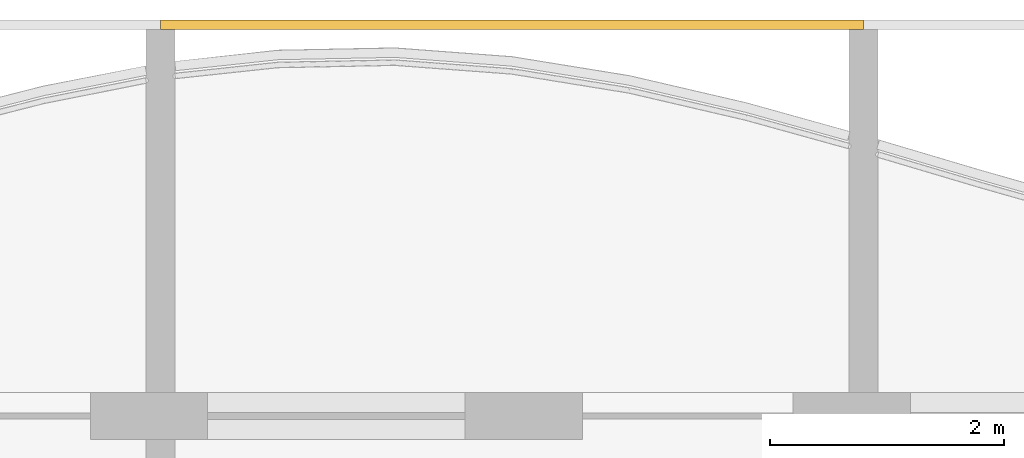
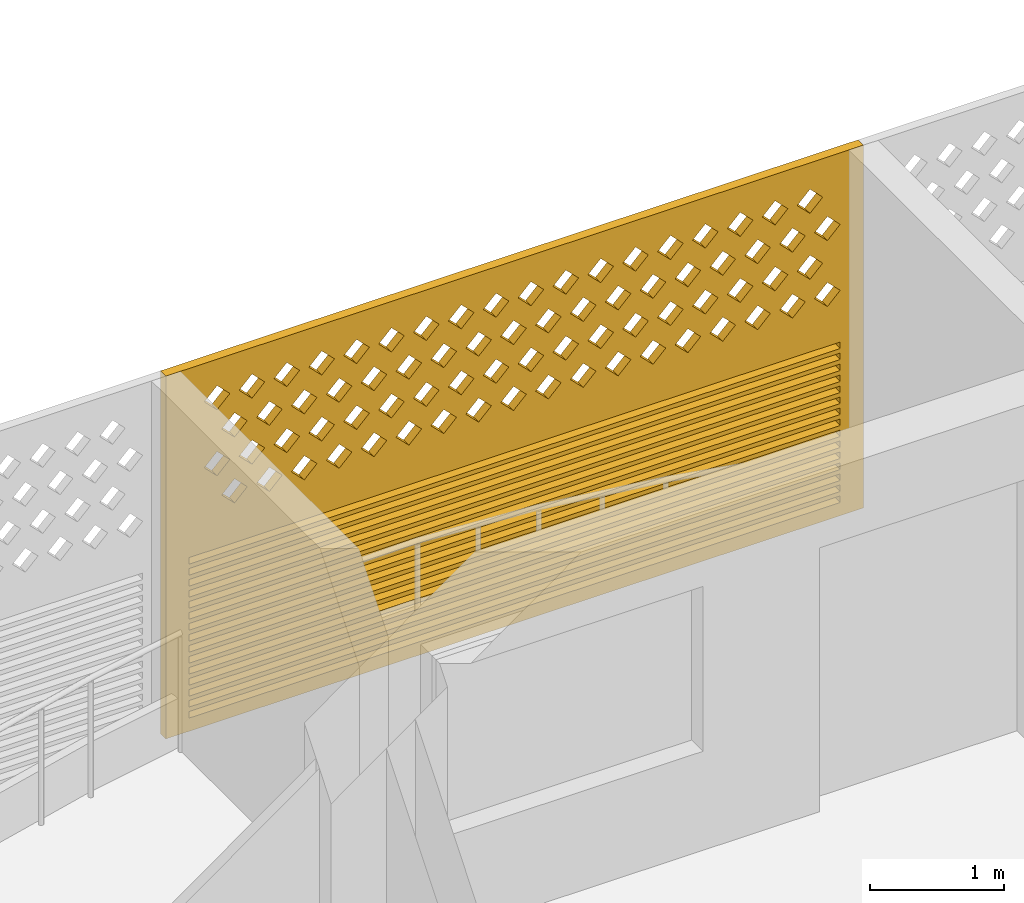
# One storey, part 27 of 29: 1 covering.
"""IFC4 building model written with IfcOpenShell, lengths in metres."""

from ifc_helpers import new_model, si_unit, direction, frame, origin, place, context, subcontext, project, spatial, polyline, outline, extrude, source, transform, mapped, material, material_profile, profile_set, type_object, element, save


model = new_model("IFC4")

# Units and contexts
model_context = context("Model", 3, precision=1e-05, world=origin(), true_north=direction((0.0, 1.0)))
body_context = subcontext(model_context, "Body", "Model", "MODEL_VIEW")
ifc_project = project(units=[si_unit("LENGTHUNIT", "METRE"), si_unit("AREAUNIT", "SQUARE_METRE"), si_unit("VOLUMEUNIT", "CUBIC_METRE"), si_unit("PLANEANGLEUNIT", "RADIAN"), si_unit("MASSUNIT", "GRAM", prefix="KILO")], contexts=[model_context])

# Site, building, storey
site_placement = place(None, origin())
site = spatial("IfcSite", under=ifc_project, at=site_placement, CompositionType="ELEMENT")
building_placement = place(site_placement, origin())
building = spatial("IfcBuilding", under=site, at=building_placement, Name="Poui Terraces", CompositionType="ELEMENT")
storey_placement = place(building_placement, frame((0.0, 0.0, 234.60009765625)))
storey = spatial("IfcBuildingStorey", under=building, at=storey_placement, Name="L65", CompositionType="ELEMENT", Elevation=234.60009765625)

# Covering
ifc_material = material(Name="Terracotta screen", Category="masonry")
ifc_material_profile = material_profile(ifc_material, outline(polyline([(-3.0, -1.64990234375), (3.0, -1.64990234375), (3.0, 1.64990234375), (-3.0, 1.64990234375), (-3.0, -1.64990234375)]), holes=[polyline([(-2.800048828125, 0.39990234375), (-2.68994140625, 0.2900390625), (-2.580078125, 0.39990234375), (-2.68994140625, 0.510009765625), (-2.800048828125, 0.39990234375)]), polyline([(-2.5, 0.39990234375), (-2.389892578125, 0.2900390625), (-2.280029296875, 0.39990234375), (-2.389892578125, 0.510009765625), (-2.5, 0.39990234375)]), polyline([(-2.199951171875, 0.39990234375), (-2.090087890625, 0.2900390625), (-1.97998046875, 0.39990234375), (-2.090087890625, 0.510009765625), (-2.199951171875, 0.39990234375)]), polyline([(-1.89990234375, 0.39990234375), (-1.7900390625, 0.2900390625), (-1.679931640625, 0.39990234375), (-1.7900390625, 0.510009765625), (-1.89990234375, 0.39990234375)]), polyline([(-1.60009765625, 0.39990234375), (-1.489990234375, 0.2900390625), (-1.3798828125, 0.39990234375), (-1.489990234375, 0.510009765625), (-1.60009765625, 0.39990234375)]), polyline([(-1.300048828125, 0.39990234375), (-1.18994140625, 0.2900390625), (-1.080078125, 0.39990234375), (-1.18994140625, 0.510009765625), (-1.300048828125, 0.39990234375)]), polyline([(-1.0, 0.39990234375), (-0.889892578125, 0.2900390625), (-0.780029296875, 0.39990234375), (-0.889892578125, 0.510009765625), (-1.0, 0.39990234375)]), polyline([(-0.699951171875, 0.39990234375), (-0.590087890625, 0.2900390625), (-0.47998046875, 0.39990234375), (-0.590087890625, 0.510009765625), (-0.699951171875, 0.39990234375)]), polyline([(-0.39990234375, 0.39990234375), (-0.2900390625, 0.2900390625), (-0.179931640625, 0.39990234375), (-0.2900390625, 0.510009765625), (-0.39990234375, 0.39990234375)]), polyline([(-0.10009765625, 0.39990234375), (0.010009765625, 0.2900390625), (0.1201171875, 0.39990234375), (0.010009765625, 0.510009765625), (-0.10009765625, 0.39990234375)]), polyline([(0.199951171875, 0.39990234375), (0.31005859375, 0.2900390625), (0.419921875, 0.39990234375), (0.31005859375, 0.510009765625), (0.199951171875, 0.39990234375)]), polyline([(0.5, 0.39990234375), (0.610107421875, 0.2900390625), (0.719970703125, 0.39990234375), (0.610107421875, 0.510009765625), (0.5, 0.39990234375)]), polyline([(0.800048828125, 0.39990234375), (0.909912109375, 0.2900390625), (1.02001953125, 0.39990234375), (0.909912109375, 0.510009765625), (0.800048828125, 0.39990234375)]), polyline([(1.10009765625, 0.39990234375), (1.2099609375, 0.2900390625), (1.320068359375, 0.39990234375), (1.2099609375, 0.510009765625), (1.10009765625, 0.39990234375)]), polyline([(1.39990234375, 0.39990234375), (1.510009765625, 0.2900390625), (1.6201171875, 0.39990234375), (1.510009765625, 0.510009765625), (1.39990234375, 0.39990234375)]), polyline([(1.699951171875, 0.39990234375), (1.81005859375, 0.2900390625), (1.919921875, 0.39990234375), (1.81005859375, 0.510009765625), (1.699951171875, 0.39990234375)]), polyline([(2.0, 0.39990234375), (2.110107421875, 0.2900390625), (2.219970703125, 0.39990234375), (2.110107421875, 0.510009765625), (2.0, 0.39990234375)]), polyline([(2.300048828125, 0.39990234375), (2.409912109375, 0.2900390625), (2.52001953125, 0.39990234375), (2.409912109375, 0.510009765625), (2.300048828125, 0.39990234375)]), polyline([(-2.64990234375, 0.699951171875), (-2.5400390625, 0.590087890625), (-2.429931640625, 0.699951171875), (-2.5400390625, 0.81005859375), (-2.64990234375, 0.699951171875)]), polyline([(-2.35009765625, 0.699951171875), (-2.239990234375, 0.590087890625), (-2.1298828125, 0.699951171875), (-2.239990234375, 0.81005859375), (-2.35009765625, 0.699951171875)]), polyline([(-2.050048828125, 0.699951171875), (-1.93994140625, 0.590087890625), (-1.830078125, 0.699951171875), (-1.93994140625, 0.81005859375), (-2.050048828125, 0.699951171875)]), polyline([(-1.75, 0.699951171875), (-1.639892578125, 0.590087890625), (-1.530029296875, 0.699951171875), (-1.639892578125, 0.81005859375), (-1.75, 0.699951171875)]), polyline([(-1.449951171875, 0.699951171875), (-1.340087890625, 0.590087890625), (-1.22998046875, 0.699951171875), (-1.340087890625, 0.81005859375), (-1.449951171875, 0.699951171875)]), polyline([(-1.14990234375, 0.699951171875), (-1.0400390625, 0.590087890625), (-0.929931640625, 0.699951171875), (-1.0400390625, 0.81005859375), (-1.14990234375, 0.699951171875)]), polyline([(-0.85009765625, 0.699951171875), (-0.739990234375, 0.590087890625), (-0.6298828125, 0.699951171875), (-0.739990234375, 0.81005859375), (-0.85009765625, 0.699951171875)]), polyline([(-0.550048828125, 0.699951171875), (-0.43994140625, 0.590087890625), (-0.330078125, 0.699951171875), (-0.43994140625, 0.81005859375), (-0.550048828125, 0.699951171875)]), polyline([(-0.25, 0.699951171875), (-0.139892578125, 0.590087890625), (-0.030029296875, 0.699951171875), (-0.139892578125, 0.81005859375), (-0.25, 0.699951171875)]), polyline([(0.050048828125, 0.699951171875), (0.159912109375, 0.590087890625), (0.27001953125, 0.699951171875), (0.159912109375, 0.81005859375), (0.050048828125, 0.699951171875)]), polyline([(0.35009765625, 0.699951171875), (0.4599609375, 0.590087890625), (0.570068359375, 0.699951171875), (0.4599609375, 0.81005859375), (0.35009765625, 0.699951171875)]), polyline([(0.64990234375, 0.699951171875), (0.760009765625, 0.590087890625), (0.8701171875, 0.699951171875), (0.760009765625, 0.81005859375), (0.64990234375, 0.699951171875)]), polyline([(0.949951171875, 0.699951171875), (1.06005859375, 0.590087890625), (1.169921875, 0.699951171875), (1.06005859375, 0.81005859375), (0.949951171875, 0.699951171875)]), polyline([(1.25, 0.699951171875), (1.360107421875, 0.590087890625), (1.469970703125, 0.699951171875), (1.360107421875, 0.81005859375), (1.25, 0.699951171875)]), polyline([(1.550048828125, 0.699951171875), (1.659912109375, 0.590087890625), (1.77001953125, 0.699951171875), (1.659912109375, 0.81005859375), (1.550048828125, 0.699951171875)]), polyline([(1.85009765625, 0.699951171875), (1.9599609375, 0.590087890625), (2.070068359375, 0.699951171875), (1.9599609375, 0.81005859375), (1.85009765625, 0.699951171875)]), polyline([(2.14990234375, 0.699951171875), (2.260009765625, 0.590087890625), (2.3701171875, 0.699951171875), (2.260009765625, 0.81005859375), (2.14990234375, 0.699951171875)]), polyline([(2.449951171875, 0.699951171875), (2.56005859375, 0.590087890625), (2.669921875, 0.699951171875), (2.56005859375, 0.81005859375), (2.449951171875, 0.699951171875)]), polyline([(-2.800048828125, 1.0), (-2.68994140625, 0.889892578125), (-2.580078125, 1.0), (-2.68994140625, 1.110107421875), (-2.800048828125, 1.0)]), polyline([(-2.5, 1.0), (-2.389892578125, 0.889892578125), (-2.280029296875, 1.0), (-2.389892578125, 1.110107421875), (-2.5, 1.0)]), polyline([(-2.199951171875, 1.0), (-2.090087890625, 0.889892578125), (-1.97998046875, 1.0), (-2.090087890625, 1.110107421875), (-2.199951171875, 1.0)]), polyline([(-1.89990234375, 1.0), (-1.7900390625, 0.889892578125), (-1.679931640625, 1.0), (-1.7900390625, 1.110107421875), (-1.89990234375, 1.0)]), polyline([(-1.60009765625, 1.0), (-1.489990234375, 0.889892578125), (-1.3798828125, 1.0), (-1.489990234375, 1.110107421875), (-1.60009765625, 1.0)]), polyline([(-1.300048828125, 1.0), (-1.18994140625, 0.889892578125), (-1.080078125, 1.0), (-1.18994140625, 1.110107421875), (-1.300048828125, 1.0)]), polyline([(-1.0, 1.0), (-0.889892578125, 0.889892578125), (-0.780029296875, 1.0), (-0.889892578125, 1.110107421875), (-1.0, 1.0)]), polyline([(-0.699951171875, 1.0), (-0.590087890625, 0.889892578125), (-0.47998046875, 1.0), (-0.590087890625, 1.110107421875), (-0.699951171875, 1.0)]), polyline([(-0.39990234375, 1.0), (-0.2900390625, 0.889892578125), (-0.179931640625, 1.0), (-0.2900390625, 1.110107421875), (-0.39990234375, 1.0)]), polyline([(-0.10009765625, 1.0), (0.010009765625, 0.889892578125), (0.1201171875, 1.0), (0.010009765625, 1.110107421875), (-0.10009765625, 1.0)]), polyline([(0.199951171875, 1.0), (0.31005859375, 0.889892578125), (0.419921875, 1.0), (0.31005859375, 1.110107421875), (0.199951171875, 1.0)]), polyline([(0.5, 1.0), (0.610107421875, 0.889892578125), (0.719970703125, 1.0), (0.610107421875, 1.110107421875), (0.5, 1.0)]), polyline([(0.800048828125, 1.0), (0.909912109375, 0.889892578125), (1.02001953125, 1.0), (0.909912109375, 1.110107421875), (0.800048828125, 1.0)]), polyline([(1.10009765625, 1.0), (1.2099609375, 0.889892578125), (1.320068359375, 1.0), (1.2099609375, 1.110107421875), (1.10009765625, 1.0)]), polyline([(1.39990234375, 1.0), (1.510009765625, 0.889892578125), (1.6201171875, 1.0), (1.510009765625, 1.110107421875), (1.39990234375, 1.0)]), polyline([(1.699951171875, 1.0), (1.81005859375, 0.889892578125), (1.919921875, 1.0), (1.81005859375, 1.110107421875), (1.699951171875, 1.0)]), polyline([(2.0, 1.0), (2.110107421875, 0.889892578125), (2.219970703125, 1.0), (2.110107421875, 1.110107421875), (2.0, 1.0)]), polyline([(2.300048828125, 1.0), (2.409912109375, 0.889892578125), (2.52001953125, 1.0), (2.409912109375, 1.110107421875), (2.300048828125, 1.0)]), polyline([(-2.64990234375, 1.300048828125), (-2.5400390625, 1.18994140625), (-2.429931640625, 1.300048828125), (-2.5400390625, 1.409912109375), (-2.64990234375, 1.300048828125)]), polyline([(-2.35009765625, 1.300048828125), (-2.239990234375, 1.18994140625), (-2.1298828125, 1.300048828125), (-2.239990234375, 1.409912109375), (-2.35009765625, 1.300048828125)]), polyline([(-2.050048828125, 1.300048828125), (-1.93994140625, 1.18994140625), (-1.830078125, 1.300048828125), (-1.93994140625, 1.409912109375), (-2.050048828125, 1.300048828125)]), polyline([(-1.75, 1.300048828125), (-1.639892578125, 1.18994140625), (-1.530029296875, 1.300048828125), (-1.639892578125, 1.409912109375), (-1.75, 1.300048828125)]), polyline([(-1.449951171875, 1.300048828125), (-1.340087890625, 1.18994140625), (-1.22998046875, 1.300048828125), (-1.340087890625, 1.409912109375), (-1.449951171875, 1.300048828125)]), polyline([(-1.14990234375, 1.300048828125), (-1.0400390625, 1.18994140625), (-0.929931640625, 1.300048828125), (-1.0400390625, 1.409912109375), (-1.14990234375, 1.300048828125)]), polyline([(-0.85009765625, 1.300048828125), (-0.739990234375, 1.18994140625), (-0.6298828125, 1.300048828125), (-0.739990234375, 1.409912109375), (-0.85009765625, 1.300048828125)]), polyline([(-0.550048828125, 1.300048828125), (-0.43994140625, 1.18994140625), (-0.330078125, 1.300048828125), (-0.43994140625, 1.409912109375), (-0.550048828125, 1.300048828125)]), polyline([(-0.25, 1.300048828125), (-0.139892578125, 1.18994140625), (-0.030029296875, 1.300048828125), (-0.139892578125, 1.409912109375), (-0.25, 1.300048828125)]), polyline([(0.050048828125, 1.300048828125), (0.159912109375, 1.18994140625), (0.27001953125, 1.300048828125), (0.159912109375, 1.409912109375), (0.050048828125, 1.300048828125)]), polyline([(0.35009765625, 1.300048828125), (0.4599609375, 1.18994140625), (0.570068359375, 1.300048828125), (0.4599609375, 1.409912109375), (0.35009765625, 1.300048828125)]), polyline([(0.64990234375, 1.300048828125), (0.760009765625, 1.18994140625), (0.8701171875, 1.300048828125), (0.760009765625, 1.409912109375), (0.64990234375, 1.300048828125)]), polyline([(0.949951171875, 1.300048828125), (1.06005859375, 1.18994140625), (1.169921875, 1.300048828125), (1.06005859375, 1.409912109375), (0.949951171875, 1.300048828125)]), polyline([(1.25, 1.300048828125), (1.360107421875, 1.18994140625), (1.469970703125, 1.300048828125), (1.360107421875, 1.409912109375), (1.25, 1.300048828125)]), polyline([(1.550048828125, 1.300048828125), (1.659912109375, 1.18994140625), (1.77001953125, 1.300048828125), (1.659912109375, 1.409912109375), (1.550048828125, 1.300048828125)]), polyline([(1.85009765625, 1.300048828125), (1.9599609375, 1.18994140625), (2.070068359375, 1.300048828125), (1.9599609375, 1.409912109375), (1.85009765625, 1.300048828125)]), polyline([(2.14990234375, 1.300048828125), (2.260009765625, 1.18994140625), (2.3701171875, 1.300048828125), (2.260009765625, 1.409912109375), (2.14990234375, 1.300048828125)]), polyline([(2.449951171875, 1.300048828125), (2.56005859375, 1.18994140625), (2.669921875, 1.300048828125), (2.56005859375, 1.409912109375), (2.449951171875, 1.300048828125)]), polyline([(-2.800048828125, -1.530029296875), (2.800048828125, -1.530029296875), (2.800048828125, -1.469970703125), (-2.800048828125, -1.469970703125), (-2.800048828125, -1.530029296875)]), polyline([(-2.800048828125, -1.429931640625), (2.800048828125, -1.429931640625), (2.800048828125, -1.3701171875), (-2.800048828125, -1.3701171875), (-2.800048828125, -1.429931640625)]), polyline([(-2.800048828125, -1.330078125), (2.800048828125, -1.330078125), (2.800048828125, -1.27001953125), (-2.800048828125, -1.27001953125), (-2.800048828125, -1.330078125)]), polyline([(-2.800048828125, -1.22998046875), (2.800048828125, -1.22998046875), (2.800048828125, -1.169921875), (-2.800048828125, -1.169921875), (-2.800048828125, -1.22998046875)]), polyline([(-2.800048828125, -1.1298828125), (2.800048828125, -1.1298828125), (2.800048828125, -1.070068359375), (-2.800048828125, -1.070068359375), (-2.800048828125, -1.1298828125)]), polyline([(-2.800048828125, -1.030029296875), (2.800048828125, -1.030029296875), (2.800048828125, -0.969970703125), (-2.800048828125, -0.969970703125), (-2.800048828125, -1.030029296875)]), polyline([(-2.800048828125, -0.929931640625), (2.800048828125, -0.929931640625), (2.800048828125, -0.8701171875), (-2.800048828125, -0.8701171875), (-2.800048828125, -0.929931640625)]), polyline([(-2.800048828125, -0.830078125), (2.800048828125, -0.830078125), (2.800048828125, -0.77001953125), (-2.800048828125, -0.77001953125), (-2.800048828125, -0.830078125)]), polyline([(-2.800048828125, -0.72998046875), (2.800048828125, -0.72998046875), (2.800048828125, -0.669921875), (-2.800048828125, -0.669921875), (-2.800048828125, -0.72998046875)]), polyline([(-2.800048828125, -0.6298828125), (2.800048828125, -0.6298828125), (2.800048828125, -0.570068359375), (-2.800048828125, -0.570068359375), (-2.800048828125, -0.6298828125)]), polyline([(-2.800048828125, -0.530029296875), (2.800048828125, -0.530029296875), (2.800048828125, -0.469970703125), (-2.800048828125, -0.469970703125), (-2.800048828125, -0.530029296875)]), polyline([(-2.800048828125, -0.429931640625), (2.800048828125, -0.429931640625), (2.800048828125, -0.3701171875), (-2.800048828125, -0.3701171875), (-2.800048828125, -0.429931640625)]), polyline([(-2.800048828125, -0.330078125), (2.800048828125, -0.330078125), (2.800048828125, -0.27001953125), (-2.800048828125, -0.27001953125), (-2.800048828125, -0.330078125)]), polyline([(-2.800048828125, -0.22998046875), (2.800048828125, -0.22998046875), (2.800048828125, -0.169921875), (-2.800048828125, -0.169921875), (-2.800048828125, -0.22998046875)]), polyline([(-2.800048828125, -0.1298828125), (2.800048828125, -0.1298828125), (2.800048828125, -0.070068359375), (-2.800048828125, -0.070068359375), (-2.800048828125, -0.1298828125)])]), Name="TERRACOTTA SCREEN AND JALOUSIE LOUVRE 6000X3300")
ifc_profile_set = profile_set([ifc_material_profile], Name="Terracotta screen")
covering_type = type_object("IfcCoveringType", Name="TERRACOTTA SCREEN AND JALOUSIE LOUVRE 6000X3300", PredefinedType="CLADDING", material=ifc_profile_set)
shared_shape = source(origin(), body_context, "Body", "SweptSolid", [
    extrude(outline(polyline([(-3.0, -1.64990234375), (3.0, -1.64990234375), (3.0, 1.64990234375), (-3.0, 1.64990234375), (-3.0, -1.64990234375)]), holes=[polyline([(-2.800048828125, 0.39990234375), (-2.68994140625, 0.2900390625), (-2.580078125, 0.39990234375), (-2.68994140625, 0.510009765625), (-2.800048828125, 0.39990234375)]), polyline([(-2.5, 0.39990234375), (-2.389892578125, 0.2900390625), (-2.280029296875, 0.39990234375), (-2.389892578125, 0.510009765625), (-2.5, 0.39990234375)]), polyline([(-2.199951171875, 0.39990234375), (-2.090087890625, 0.2900390625), (-1.97998046875, 0.39990234375), (-2.090087890625, 0.510009765625), (-2.199951171875, 0.39990234375)]), polyline([(-1.89990234375, 0.39990234375), (-1.7900390625, 0.2900390625), (-1.679931640625, 0.39990234375), (-1.7900390625, 0.510009765625), (-1.89990234375, 0.39990234375)]), polyline([(-1.60009765625, 0.39990234375), (-1.489990234375, 0.2900390625), (-1.3798828125, 0.39990234375), (-1.489990234375, 0.510009765625), (-1.60009765625, 0.39990234375)]), polyline([(-1.300048828125, 0.39990234375), (-1.18994140625, 0.2900390625), (-1.080078125, 0.39990234375), (-1.18994140625, 0.510009765625), (-1.300048828125, 0.39990234375)]), polyline([(-1.0, 0.39990234375), (-0.889892578125, 0.2900390625), (-0.780029296875, 0.39990234375), (-0.889892578125, 0.510009765625), (-1.0, 0.39990234375)]), polyline([(-0.699951171875, 0.39990234375), (-0.590087890625, 0.2900390625), (-0.47998046875, 0.39990234375), (-0.590087890625, 0.510009765625), (-0.699951171875, 0.39990234375)]), polyline([(-0.39990234375, 0.39990234375), (-0.2900390625, 0.2900390625), (-0.179931640625, 0.39990234375), (-0.2900390625, 0.510009765625), (-0.39990234375, 0.39990234375)]), polyline([(-0.10009765625, 0.39990234375), (0.010009765625, 0.2900390625), (0.1201171875, 0.39990234375), (0.010009765625, 0.510009765625), (-0.10009765625, 0.39990234375)]), polyline([(0.199951171875, 0.39990234375), (0.31005859375, 0.2900390625), (0.419921875, 0.39990234375), (0.31005859375, 0.510009765625), (0.199951171875, 0.39990234375)]), polyline([(0.5, 0.39990234375), (0.610107421875, 0.2900390625), (0.719970703125, 0.39990234375), (0.610107421875, 0.510009765625), (0.5, 0.39990234375)]), polyline([(0.800048828125, 0.39990234375), (0.909912109375, 0.2900390625), (1.02001953125, 0.39990234375), (0.909912109375, 0.510009765625), (0.800048828125, 0.39990234375)]), polyline([(1.10009765625, 0.39990234375), (1.2099609375, 0.2900390625), (1.320068359375, 0.39990234375), (1.2099609375, 0.510009765625), (1.10009765625, 0.39990234375)]), polyline([(1.39990234375, 0.39990234375), (1.510009765625, 0.2900390625), (1.6201171875, 0.39990234375), (1.510009765625, 0.510009765625), (1.39990234375, 0.39990234375)]), polyline([(1.699951171875, 0.39990234375), (1.81005859375, 0.2900390625), (1.919921875, 0.39990234375), (1.81005859375, 0.510009765625), (1.699951171875, 0.39990234375)]), polyline([(2.0, 0.39990234375), (2.110107421875, 0.2900390625), (2.219970703125, 0.39990234375), (2.110107421875, 0.510009765625), (2.0, 0.39990234375)]), polyline([(2.300048828125, 0.39990234375), (2.409912109375, 0.2900390625), (2.52001953125, 0.39990234375), (2.409912109375, 0.510009765625), (2.300048828125, 0.39990234375)]), polyline([(-2.64990234375, 0.699951171875), (-2.5400390625, 0.590087890625), (-2.429931640625, 0.699951171875), (-2.5400390625, 0.81005859375), (-2.64990234375, 0.699951171875)]), polyline([(-2.35009765625, 0.699951171875), (-2.239990234375, 0.590087890625), (-2.1298828125, 0.699951171875), (-2.239990234375, 0.81005859375), (-2.35009765625, 0.699951171875)]), polyline([(-2.050048828125, 0.699951171875), (-1.93994140625, 0.590087890625), (-1.830078125, 0.699951171875), (-1.93994140625, 0.81005859375), (-2.050048828125, 0.699951171875)]), polyline([(-1.75, 0.699951171875), (-1.639892578125, 0.590087890625), (-1.530029296875, 0.699951171875), (-1.639892578125, 0.81005859375), (-1.75, 0.699951171875)]), polyline([(-1.449951171875, 0.699951171875), (-1.340087890625, 0.590087890625), (-1.22998046875, 0.699951171875), (-1.340087890625, 0.81005859375), (-1.449951171875, 0.699951171875)]), polyline([(-1.14990234375, 0.699951171875), (-1.0400390625, 0.590087890625), (-0.929931640625, 0.699951171875), (-1.0400390625, 0.81005859375), (-1.14990234375, 0.699951171875)]), polyline([(-0.85009765625, 0.699951171875), (-0.739990234375, 0.590087890625), (-0.6298828125, 0.699951171875), (-0.739990234375, 0.81005859375), (-0.85009765625, 0.699951171875)]), polyline([(-0.550048828125, 0.699951171875), (-0.43994140625, 0.590087890625), (-0.330078125, 0.699951171875), (-0.43994140625, 0.81005859375), (-0.550048828125, 0.699951171875)]), polyline([(-0.25, 0.699951171875), (-0.139892578125, 0.590087890625), (-0.030029296875, 0.699951171875), (-0.139892578125, 0.81005859375), (-0.25, 0.699951171875)]), polyline([(0.050048828125, 0.699951171875), (0.159912109375, 0.590087890625), (0.27001953125, 0.699951171875), (0.159912109375, 0.81005859375), (0.050048828125, 0.699951171875)]), polyline([(0.35009765625, 0.699951171875), (0.4599609375, 0.590087890625), (0.570068359375, 0.699951171875), (0.4599609375, 0.81005859375), (0.35009765625, 0.699951171875)]), polyline([(0.64990234375, 0.699951171875), (0.760009765625, 0.590087890625), (0.8701171875, 0.699951171875), (0.760009765625, 0.81005859375), (0.64990234375, 0.699951171875)]), polyline([(0.949951171875, 0.699951171875), (1.06005859375, 0.590087890625), (1.169921875, 0.699951171875), (1.06005859375, 0.81005859375), (0.949951171875, 0.699951171875)]), polyline([(1.25, 0.699951171875), (1.360107421875, 0.590087890625), (1.469970703125, 0.699951171875), (1.360107421875, 0.81005859375), (1.25, 0.699951171875)]), polyline([(1.550048828125, 0.699951171875), (1.659912109375, 0.590087890625), (1.77001953125, 0.699951171875), (1.659912109375, 0.81005859375), (1.550048828125, 0.699951171875)]), polyline([(1.85009765625, 0.699951171875), (1.9599609375, 0.590087890625), (2.070068359375, 0.699951171875), (1.9599609375, 0.81005859375), (1.85009765625, 0.699951171875)]), polyline([(2.14990234375, 0.699951171875), (2.260009765625, 0.590087890625), (2.3701171875, 0.699951171875), (2.260009765625, 0.81005859375), (2.14990234375, 0.699951171875)]), polyline([(2.449951171875, 0.699951171875), (2.56005859375, 0.590087890625), (2.669921875, 0.699951171875), (2.56005859375, 0.81005859375), (2.449951171875, 0.699951171875)]), polyline([(-2.800048828125, 1.0), (-2.68994140625, 0.889892578125), (-2.580078125, 1.0), (-2.68994140625, 1.110107421875), (-2.800048828125, 1.0)]), polyline([(-2.5, 1.0), (-2.389892578125, 0.889892578125), (-2.280029296875, 1.0), (-2.389892578125, 1.110107421875), (-2.5, 1.0)]), polyline([(-2.199951171875, 1.0), (-2.090087890625, 0.889892578125), (-1.97998046875, 1.0), (-2.090087890625, 1.110107421875), (-2.199951171875, 1.0)]), polyline([(-1.89990234375, 1.0), (-1.7900390625, 0.889892578125), (-1.679931640625, 1.0), (-1.7900390625, 1.110107421875), (-1.89990234375, 1.0)]), polyline([(-1.60009765625, 1.0), (-1.489990234375, 0.889892578125), (-1.3798828125, 1.0), (-1.489990234375, 1.110107421875), (-1.60009765625, 1.0)]), polyline([(-1.300048828125, 1.0), (-1.18994140625, 0.889892578125), (-1.080078125, 1.0), (-1.18994140625, 1.110107421875), (-1.300048828125, 1.0)]), polyline([(-1.0, 1.0), (-0.889892578125, 0.889892578125), (-0.780029296875, 1.0), (-0.889892578125, 1.110107421875), (-1.0, 1.0)]), polyline([(-0.699951171875, 1.0), (-0.590087890625, 0.889892578125), (-0.47998046875, 1.0), (-0.590087890625, 1.110107421875), (-0.699951171875, 1.0)]), polyline([(-0.39990234375, 1.0), (-0.2900390625, 0.889892578125), (-0.179931640625, 1.0), (-0.2900390625, 1.110107421875), (-0.39990234375, 1.0)]), polyline([(-0.10009765625, 1.0), (0.010009765625, 0.889892578125), (0.1201171875, 1.0), (0.010009765625, 1.110107421875), (-0.10009765625, 1.0)]), polyline([(0.199951171875, 1.0), (0.31005859375, 0.889892578125), (0.419921875, 1.0), (0.31005859375, 1.110107421875), (0.199951171875, 1.0)]), polyline([(0.5, 1.0), (0.610107421875, 0.889892578125), (0.719970703125, 1.0), (0.610107421875, 1.110107421875), (0.5, 1.0)]), polyline([(0.800048828125, 1.0), (0.909912109375, 0.889892578125), (1.02001953125, 1.0), (0.909912109375, 1.110107421875), (0.800048828125, 1.0)]), polyline([(1.10009765625, 1.0), (1.2099609375, 0.889892578125), (1.320068359375, 1.0), (1.2099609375, 1.110107421875), (1.10009765625, 1.0)]), polyline([(1.39990234375, 1.0), (1.510009765625, 0.889892578125), (1.6201171875, 1.0), (1.510009765625, 1.110107421875), (1.39990234375, 1.0)]), polyline([(1.699951171875, 1.0), (1.81005859375, 0.889892578125), (1.919921875, 1.0), (1.81005859375, 1.110107421875), (1.699951171875, 1.0)]), polyline([(2.0, 1.0), (2.110107421875, 0.889892578125), (2.219970703125, 1.0), (2.110107421875, 1.110107421875), (2.0, 1.0)]), polyline([(2.300048828125, 1.0), (2.409912109375, 0.889892578125), (2.52001953125, 1.0), (2.409912109375, 1.110107421875), (2.300048828125, 1.0)]), polyline([(-2.64990234375, 1.300048828125), (-2.5400390625, 1.18994140625), (-2.429931640625, 1.300048828125), (-2.5400390625, 1.409912109375), (-2.64990234375, 1.300048828125)]), polyline([(-2.35009765625, 1.300048828125), (-2.239990234375, 1.18994140625), (-2.1298828125, 1.300048828125), (-2.239990234375, 1.409912109375), (-2.35009765625, 1.300048828125)]), polyline([(-2.050048828125, 1.300048828125), (-1.93994140625, 1.18994140625), (-1.830078125, 1.300048828125), (-1.93994140625, 1.409912109375), (-2.050048828125, 1.300048828125)]), polyline([(-1.75, 1.300048828125), (-1.639892578125, 1.18994140625), (-1.530029296875, 1.300048828125), (-1.639892578125, 1.409912109375), (-1.75, 1.300048828125)]), polyline([(-1.449951171875, 1.300048828125), (-1.340087890625, 1.18994140625), (-1.22998046875, 1.300048828125), (-1.340087890625, 1.409912109375), (-1.449951171875, 1.300048828125)]), polyline([(-1.14990234375, 1.300048828125), (-1.0400390625, 1.18994140625), (-0.929931640625, 1.300048828125), (-1.0400390625, 1.409912109375), (-1.14990234375, 1.300048828125)]), polyline([(-0.85009765625, 1.300048828125), (-0.739990234375, 1.18994140625), (-0.6298828125, 1.300048828125), (-0.739990234375, 1.409912109375), (-0.85009765625, 1.300048828125)]), polyline([(-0.550048828125, 1.300048828125), (-0.43994140625, 1.18994140625), (-0.330078125, 1.300048828125), (-0.43994140625, 1.409912109375), (-0.550048828125, 1.300048828125)]), polyline([(-0.25, 1.300048828125), (-0.139892578125, 1.18994140625), (-0.030029296875, 1.300048828125), (-0.139892578125, 1.409912109375), (-0.25, 1.300048828125)]), polyline([(0.050048828125, 1.300048828125), (0.159912109375, 1.18994140625), (0.27001953125, 1.300048828125), (0.159912109375, 1.409912109375), (0.050048828125, 1.300048828125)]), polyline([(0.35009765625, 1.300048828125), (0.4599609375, 1.18994140625), (0.570068359375, 1.300048828125), (0.4599609375, 1.409912109375), (0.35009765625, 1.300048828125)]), polyline([(0.64990234375, 1.300048828125), (0.760009765625, 1.18994140625), (0.8701171875, 1.300048828125), (0.760009765625, 1.409912109375), (0.64990234375, 1.300048828125)]), polyline([(0.949951171875, 1.300048828125), (1.06005859375, 1.18994140625), (1.169921875, 1.300048828125), (1.06005859375, 1.409912109375), (0.949951171875, 1.300048828125)]), polyline([(1.25, 1.300048828125), (1.360107421875, 1.18994140625), (1.469970703125, 1.300048828125), (1.360107421875, 1.409912109375), (1.25, 1.300048828125)]), polyline([(1.550048828125, 1.300048828125), (1.659912109375, 1.18994140625), (1.77001953125, 1.300048828125), (1.659912109375, 1.409912109375), (1.550048828125, 1.300048828125)]), polyline([(1.85009765625, 1.300048828125), (1.9599609375, 1.18994140625), (2.070068359375, 1.300048828125), (1.9599609375, 1.409912109375), (1.85009765625, 1.300048828125)]), polyline([(2.14990234375, 1.300048828125), (2.260009765625, 1.18994140625), (2.3701171875, 1.300048828125), (2.260009765625, 1.409912109375), (2.14990234375, 1.300048828125)]), polyline([(2.449951171875, 1.300048828125), (2.56005859375, 1.18994140625), (2.669921875, 1.300048828125), (2.56005859375, 1.409912109375), (2.449951171875, 1.300048828125)]), polyline([(-2.800048828125, -1.530029296875), (2.800048828125, -1.530029296875), (2.800048828125, -1.469970703125), (-2.800048828125, -1.469970703125), (-2.800048828125, -1.530029296875)]), polyline([(-2.800048828125, -1.429931640625), (2.800048828125, -1.429931640625), (2.800048828125, -1.3701171875), (-2.800048828125, -1.3701171875), (-2.800048828125, -1.429931640625)]), polyline([(-2.800048828125, -1.330078125), (2.800048828125, -1.330078125), (2.800048828125, -1.27001953125), (-2.800048828125, -1.27001953125), (-2.800048828125, -1.330078125)]), polyline([(-2.800048828125, -1.22998046875), (2.800048828125, -1.22998046875), (2.800048828125, -1.169921875), (-2.800048828125, -1.169921875), (-2.800048828125, -1.22998046875)]), polyline([(-2.800048828125, -1.1298828125), (2.800048828125, -1.1298828125), (2.800048828125, -1.070068359375), (-2.800048828125, -1.070068359375), (-2.800048828125, -1.1298828125)]), polyline([(-2.800048828125, -1.030029296875), (2.800048828125, -1.030029296875), (2.800048828125, -0.969970703125), (-2.800048828125, -0.969970703125), (-2.800048828125, -1.030029296875)]), polyline([(-2.800048828125, -0.929931640625), (2.800048828125, -0.929931640625), (2.800048828125, -0.8701171875), (-2.800048828125, -0.8701171875), (-2.800048828125, -0.929931640625)]), polyline([(-2.800048828125, -0.830078125), (2.800048828125, -0.830078125), (2.800048828125, -0.77001953125), (-2.800048828125, -0.77001953125), (-2.800048828125, -0.830078125)]), polyline([(-2.800048828125, -0.72998046875), (2.800048828125, -0.72998046875), (2.800048828125, -0.669921875), (-2.800048828125, -0.669921875), (-2.800048828125, -0.72998046875)]), polyline([(-2.800048828125, -0.6298828125), (2.800048828125, -0.6298828125), (2.800048828125, -0.570068359375), (-2.800048828125, -0.570068359375), (-2.800048828125, -0.6298828125)]), polyline([(-2.800048828125, -0.530029296875), (2.800048828125, -0.530029296875), (2.800048828125, -0.469970703125), (-2.800048828125, -0.469970703125), (-2.800048828125, -0.530029296875)]), polyline([(-2.800048828125, -0.429931640625), (2.800048828125, -0.429931640625), (2.800048828125, -0.3701171875), (-2.800048828125, -0.3701171875), (-2.800048828125, -0.429931640625)]), polyline([(-2.800048828125, -0.330078125), (2.800048828125, -0.330078125), (2.800048828125, -0.27001953125), (-2.800048828125, -0.27001953125), (-2.800048828125, -0.330078125)]), polyline([(-2.800048828125, -0.22998046875), (2.800048828125, -0.22998046875), (2.800048828125, -0.169921875), (-2.800048828125, -0.169921875), (-2.800048828125, -0.22998046875)]), polyline([(-2.800048828125, -0.1298828125), (2.800048828125, -0.1298828125), (2.800048828125, -0.070068359375), (-2.800048828125, -0.070068359375), (-2.800048828125, -0.1298828125)])]), origin(), (0.0, 0.0, 1.0), 0.080078125),
])
covering_placement = place(storey_placement, frame((69.0, 44.5, 1.449951171875), z_axis=(0.0, 1.0, 0.0), x_axis=(-1.0, 0.0, 0.0)))
element("IfcCovering", 1, at=covering_placement, inside=storey, type_object=covering_type, Name="SOLAR SCREEN AND JALOUSIE LOUVRE", PredefinedType="CLADDING", context=body_context, shape_type="MappedRepresentation", body=[
    mapped(shared_shape, transform((0.0, 0.0, 0.0))),
])

save(model, "model.ifc")
